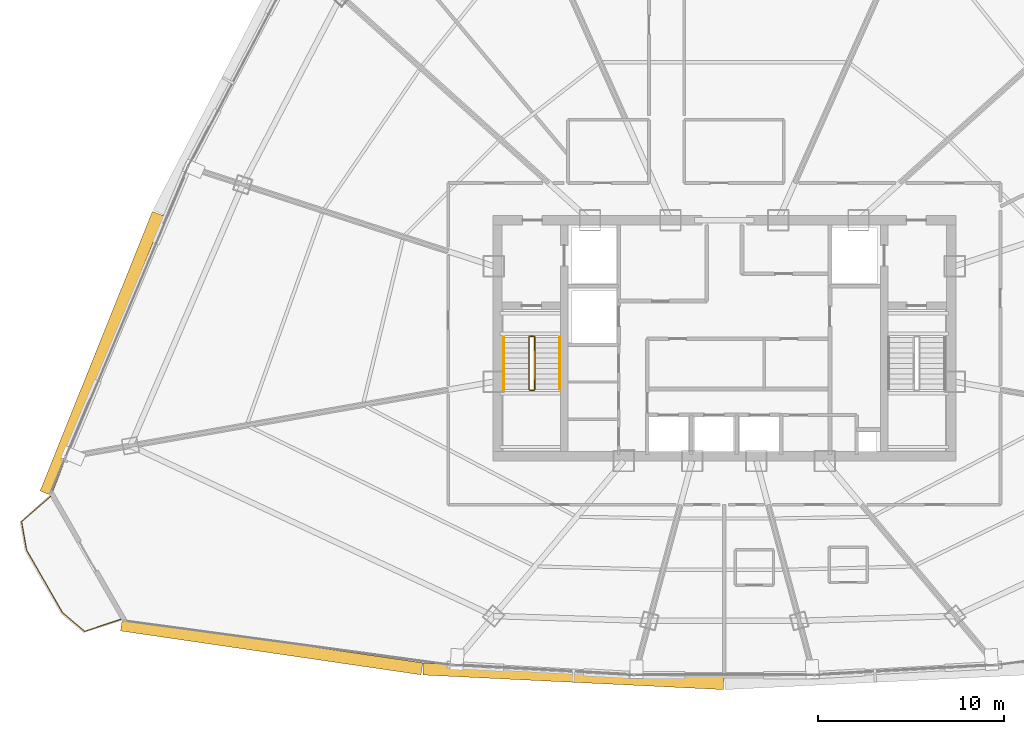
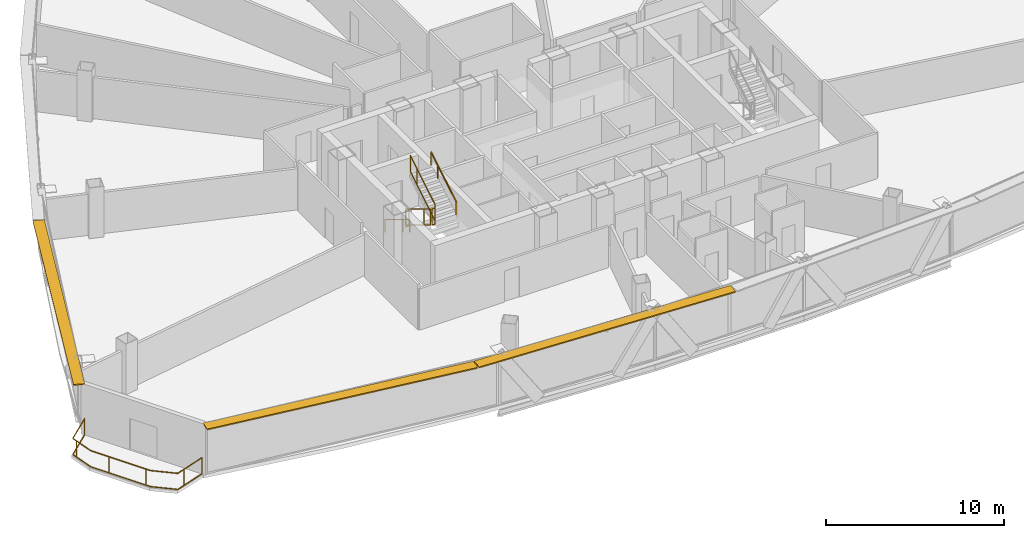
# One storey, part 32 of 35: 7 railings, 3 shading devices.
"""IFC4 building model written with IfcOpenShell, lengths in metres."""

from ifc_helpers import new_model, si_unit, direction, frame, origin, origin_2d, place, context, subcontext, project, spatial, rectangle, extrude, source, transform, mapped, material, layer, layer_set, type_object, element, save


model = new_model("IFC4")

# Units and contexts
model_context = context("Model", 3, precision=1e-05, world=origin(), true_north=direction((0.0, 1.0)))
body_context = subcontext(model_context, "Body", "Model", "MODEL_VIEW")
ifc_project = project(units=[si_unit("LENGTHUNIT", "METRE"), si_unit("AREAUNIT", "SQUARE_METRE"), si_unit("VOLUMEUNIT", "CUBIC_METRE"), si_unit("PLANEANGLEUNIT", "RADIAN"), si_unit("MASSUNIT", "GRAM", prefix="KILO"), si_unit("THERMODYNAMICTEMPERATUREUNIT", "KELVIN"), si_unit("POWERUNIT", "WATT")], contexts=[model_context])

# Site, building, storey
site_placement = place(None, origin())
site = spatial("IfcSite", under=ifc_project, at=site_placement, CompositionType="ELEMENT")
building_placement = place(site_placement, origin())
building = spatial("IfcBuilding", under=site, at=building_placement, Name="Yunzhuo Pagoda Commons", CompositionType="ELEMENT")
storey_placement = place(building_placement, frame((0.0, 0.0, 237.070068359375)))
storey = spatial("IfcBuildingStorey", under=building, at=storey_placement, Name="L59", CompositionType="ELEMENT", Elevation=237.070068359375)

# Railings
ifc_material = material(Name="Anodized aluminium 6063-T6", Category="aluminium")
railing_type_1 = type_object("IfcRailingType", Name="GR-ST1 Stair Well Guardrail 1150", PredefinedType="GUARDRAIL", material=ifc_material)
railing_1_placement = place(storey_placement, frame((37.5, 33.89990234375, 0.16943359375)))
element("IfcRailing", 1, at=railing_1_placement, inside=storey, type_object=railing_type_1, Name="L59 ST1 stair guard 1", PredefinedType="GUARDRAIL", context=body_context, shape_type="SweptSolid", body=[
    extrude(rectangle(XDim=0.048095703125, YDim=0.048095703125, at=origin_2d()), frame((0.0, 0.0, 1.1259765625), z_axis=(0.0, -0.855373106579, 0.518012401918), x_axis=(1.0, 0.0, 0.0)), (0.0, 0.0, 1.0), 3.273193359375),
    extrude(rectangle(XDim=0.048095703125, YDim=0.048095703125, at=origin_2d()), frame((0.0, 0.0, 0.02392578125), z_axis=(0.0, -0.855373106579, 0.518012401918), x_axis=(1.0, 0.0, 0.0)), (0.0, 0.0, 1.0), 3.273193359375),
    extrude(rectangle(XDim=0.0419921875, YDim=0.0419921875, at=origin_2d()), origin(), (0.0, 0.0, 1.0), 1.101806640625),
    extrude(rectangle(XDim=0.0419921875, YDim=0.0419921875, at=origin_2d()), frame((0.0, -2.052978515625, 1.2431640625)), (0.0, 0.0, 1.0), 1.101806640625),
    extrude(rectangle(XDim=0.0419921875, YDim=0.0419921875, at=origin_2d()), frame((0.0, -2.7998046875, 1.695556640625)), (0.0, 0.0, 1.0), 1.101806640625),
])
railing_2_placement = place(storey_placement, frame((37.550048828125, 31.050048828125, 1.864990234375)))
element("IfcRailing", 2, at=railing_2_placement, inside=storey, type_object=railing_type_1, Name="L59 ST1 stair guard 2", PredefinedType="GUARDRAIL", context=body_context, shape_type="SweptSolid", body=[
    extrude(rectangle(XDim=0.048095703125, YDim=0.048095703125, at=origin_2d()), frame((0.0, 0.0, 1.1259765625), z_axis=(1.0, 0.0, 0.0), x_axis=(0.0, 1.0, 0.0)), (0.0, 0.0, 1.0), 0.199951171875),
    extrude(rectangle(XDim=0.048095703125, YDim=0.048095703125, at=origin_2d()), frame((0.0, 0.0, 0.02392578125), z_axis=(1.0, 0.0, 0.0), x_axis=(0.0, 1.0, 0.0)), (0.0, 0.0, 1.0), 0.199951171875),
    extrude(rectangle(XDim=0.0419921875, YDim=0.0419921875, at=origin_2d()), origin(), (0.0, 0.0, 1.0), 1.101806640625),
    extrude(rectangle(XDim=0.0419921875, YDim=0.0419921875, at=origin_2d()), frame((0.199951171875, 0.0, 0.0)), (0.0, 0.0, 1.0), 1.101806640625),
])
railing_3_placement = place(storey_placement, frame((37.800048828125, 31.10009765625, 2.034423828125)))
element("IfcRailing", 3, at=railing_3_placement, inside=storey, type_object=railing_type_1, Name="L59 ST1 stair guard 3", PredefinedType="GUARDRAIL", context=body_context, shape_type="SweptSolid", body=[
    extrude(rectangle(XDim=0.048095703125, YDim=0.048095703125, at=origin_2d()), frame((0.0, 0.0, 1.1259765625), z_axis=(0.0, 0.855373106579, 0.518012401918), x_axis=(-1.0, 0.0, 0.0)), (0.0, 0.0, 1.0), 3.273193359375),
    extrude(rectangle(XDim=0.048095703125, YDim=0.048095703125, at=origin_2d()), frame((0.0, 0.0, 0.02392578125), z_axis=(0.0, 0.855373106579, 0.518012401918), x_axis=(-1.0, 0.0, 0.0)), (0.0, 0.0, 1.0), 3.273193359375),
    extrude(rectangle(XDim=0.0419921875, YDim=0.0419921875, at=origin_2d()), origin(), (0.0, 0.0, 1.0), 1.101806640625),
    extrude(rectangle(XDim=0.0419921875, YDim=0.0419921875, at=origin_2d()), frame((0.0, 2.052978515625, 1.2431640625)), (0.0, 0.0, 1.0), 1.101806640625),
    extrude(rectangle(XDim=0.0419921875, YDim=0.0419921875, at=origin_2d()), frame((0.0, 2.7998046875, 1.695556640625)), (0.0, 0.0, 1.0), 1.101806640625),
])
railing_4_placement = place(storey_placement, frame((37.550048828125, 33.949951171875, 0.0)))
element("IfcRailing", 4, at=railing_4_placement, inside=storey, type_object=railing_type_1, Name="L59 ST1 stair guard 4", PredefinedType="GUARDRAIL", context=body_context, shape_type="SweptSolid", body=[
    extrude(rectangle(XDim=0.048095703125, YDim=0.048095703125, at=origin_2d()), frame((0.0, 0.0, 1.1259765625), z_axis=(1.0, 0.0, 0.0), x_axis=(0.0, 1.0, 0.0)), (0.0, 0.0, 1.0), 0.199951171875),
    extrude(rectangle(XDim=0.048095703125, YDim=0.048095703125, at=origin_2d()), frame((0.0, 0.0, 0.02392578125), z_axis=(1.0, 0.0, 0.0), x_axis=(0.0, 1.0, 0.0)), (0.0, 0.0, 1.0), 0.199951171875),
    extrude(rectangle(XDim=0.0419921875, YDim=0.0419921875, at=origin_2d()), origin(), (0.0, 0.0, 1.0), 1.101806640625),
    extrude(rectangle(XDim=0.0419921875, YDim=0.0419921875, at=origin_2d()), frame((0.199951171875, 0.0, 0.0)), (0.0, 0.0, 1.0), 1.101806640625),
])
railing_type_2 = type_object("IfcRailingType", Name="HR-ST1 Stair Handrail 900", PredefinedType="HANDRAIL", material=ifc_material)
railing_5_placement = place(storey_placement, frame((36.14990234375, 33.89990234375, 0.16943359375)))
element("IfcRailing", 5, at=railing_5_placement, inside=storey, type_object=railing_type_2, Name="L59 ST1 stair handrail 1", PredefinedType="HANDRAIL", context=body_context, shape_type="SweptSolid", body=[
    extrude(rectangle(XDim=0.048095703125, YDim=0.048095703125, at=origin_2d()), frame((0.0, 0.0, 0.8759765625), z_axis=(0.0, -0.855373106579, 0.518012401918), x_axis=(1.0, 0.0, 0.0)), (0.0, 0.0, 1.0), 3.273193359375),
    extrude(rectangle(XDim=0.0419921875, YDim=0.0419921875, at=origin_2d()), origin(), (0.0, 0.0, 1.0), 0.851806640625),
    extrude(rectangle(XDim=0.0419921875, YDim=0.0419921875, at=origin_2d()), frame((0.0, -2.052978515625, 1.2431640625)), (0.0, 0.0, 1.0), 0.851806640625),
    extrude(rectangle(XDim=0.0419921875, YDim=0.0419921875, at=origin_2d()), frame((0.0, -2.7998046875, 1.695556640625)), (0.0, 0.0, 1.0), 0.851806640625),
])
railing_6_placement = place(storey_placement, frame((39.14990234375, 31.10009765625, 2.034423828125)))
element("IfcRailing", 6, at=railing_6_placement, inside=storey, type_object=railing_type_2, Name="L59 ST1 stair handrail 2", PredefinedType="HANDRAIL", context=body_context, shape_type="SweptSolid", body=[
    extrude(rectangle(XDim=0.048095703125, YDim=0.048095703125, at=origin_2d()), frame((0.0, 0.0, 0.8759765625), z_axis=(0.0, 0.855373106579, 0.518012401918), x_axis=(-1.0, 0.0, 0.0)), (0.0, 0.0, 1.0), 3.273193359375),
    extrude(rectangle(XDim=0.0419921875, YDim=0.0419921875, at=origin_2d()), origin(), (0.0, 0.0, 1.0), 0.851806640625),
    extrude(rectangle(XDim=0.0419921875, YDim=0.0419921875, at=origin_2d()), frame((0.0, 2.052978515625, 1.2431640625)), (0.0, 0.0, 1.0), 0.851806640625),
    extrude(rectangle(XDim=0.0419921875, YDim=0.0419921875, at=origin_2d()), frame((0.0, 2.7998046875, 1.695556640625)), (0.0, 0.0, 1.0), 0.851806640625),
])
railing_type_3 = type_object("IfcRailingType", Name="RL-BAL1 Exterior Terrace & Balcony Balustrade 1150", PredefinedType="BALUSTRADE", material=ifc_material)
railing_7_placement = place(storey_placement, frame((11.76171875, 25.34521484375, 0.0)))
element("IfcRailing", 7, at=railing_7_placement, inside=storey, type_object=railing_type_3, Name="L59 corner balcony balustrade V1", PredefinedType="BALUSTRADE", context=body_context, shape_type="SweptSolid", body=[
    extrude(rectangle(XDim=0.048095703125, YDim=0.048095703125, at=origin_2d()), frame((0.0, 0.0, 1.1259765625), z_axis=(-0.753984993137, -0.656891642605, 0.0), x_axis=(0.656891642605, -0.753984993137, 0.0)), (0.0, 0.0, 1.0), 2.059326171875),
    extrude(rectangle(XDim=0.048095703125, YDim=0.048095703125, at=origin_2d()), frame((0.0, 0.0, 0.02392578125), z_axis=(-0.753984993137, -0.656891642605, 0.0), x_axis=(0.656891642605, -0.753984993137, 0.0)), (0.0, 0.0, 1.0), 2.059326171875),
    extrude(rectangle(XDim=0.048095703125, YDim=0.048095703125, at=origin_2d()), frame((-1.552734375, -1.352783203125, 1.1259765625), z_axis=(0.172863553259, -0.984945781226, 0.0), x_axis=(0.984945781226, 0.172863553259, 0.0)), (0.0, 0.0, 1.0), 1.556396484375),
    extrude(rectangle(XDim=0.048095703125, YDim=0.048095703125, at=origin_2d()), frame((-1.552734375, -1.352783203125, 0.02392578125), z_axis=(0.172863553259, -0.984945781226, 0.0), x_axis=(0.984945781226, 0.172863553259, 0.0)), (0.0, 0.0, 1.0), 1.556396484375),
    extrude(rectangle(XDim=0.048095703125, YDim=0.048095703125, at=origin_2d()), frame((-1.28369140625, -2.8857421875, 1.1259765625), z_axis=(0.497903387026, -0.867232504688, 0.0), x_axis=(0.867232504688, 0.497903387026, 0.0)), (0.0, 0.0, 1.0), 3.886962890625),
    extrude(rectangle(XDim=0.048095703125, YDim=0.048095703125, at=origin_2d()), frame((-1.28369140625, -2.8857421875, 0.02392578125), z_axis=(0.497903387026, -0.867232504688, 0.0), x_axis=(0.867232504688, 0.497903387026, 0.0)), (0.0, 0.0, 1.0), 3.886962890625),
    extrude(rectangle(XDim=0.048095703125, YDim=0.048095703125, at=origin_2d()), frame((0.651611328125, -6.256591796875, 1.1259765625), z_axis=(0.763546898029, -0.645752378633, 0.0), x_axis=(0.645752378633, 0.763546898029, 0.0)), (0.0, 0.0, 1.0), 1.556640625),
    extrude(rectangle(XDim=0.048095703125, YDim=0.048095703125, at=origin_2d()), frame((0.651611328125, -6.256591796875, 0.02392578125), z_axis=(0.763546898029, -0.645752378633, 0.0), x_axis=(0.645752378633, 0.763546898029, 0.0)), (0.0, 0.0, 1.0), 1.556640625),
    extrude(rectangle(XDim=0.048095703125, YDim=0.048095703125, at=origin_2d()), frame((1.840087890625, -7.26171875, 1.1259765625), z_axis=(0.947419062147, 0.319995501031, 0.0), x_axis=(-0.319995501031, 0.947419062147, 0.0)), (0.0, 0.0, 1.0), 2.05908203125),
    extrude(rectangle(XDim=0.048095703125, YDim=0.048095703125, at=origin_2d()), frame((1.840087890625, -7.26171875, 0.02392578125), z_axis=(0.947419062147, 0.319995501031, 0.0), x_axis=(-0.319995501031, 0.947419062147, 0.0)), (0.0, 0.0, 1.0), 2.05908203125),
    extrude(rectangle(XDim=0.0419921875, YDim=0.0419921875, at=origin_2d()), origin(), (0.0, 0.0, 1.0), 1.101806640625),
    extrude(rectangle(XDim=0.0419921875, YDim=0.0419921875, at=origin_2d()), frame((-1.493896484375, -1.688232421875, 0.0)), (0.0, 0.0, 1.0), 1.101806640625),
    extrude(rectangle(XDim=0.0419921875, YDim=0.0419921875, at=origin_2d()), frame((-0.694091796875, -3.912841796875, 0.0)), (0.0, 0.0, 1.0), 1.101806640625),
    extrude(rectangle(XDim=0.0419921875, YDim=0.0419921875, at=origin_2d()), frame((0.5009765625, -5.994140625, 0.0)), (0.0, 0.0, 1.0), 1.101806640625),
    extrude(rectangle(XDim=0.0419921875, YDim=0.0419921875, at=origin_2d()), frame((2.3525390625, -7.088623046875, 0.0)), (0.0, 0.0, 1.0), 1.101806640625),
    extrude(rectangle(XDim=0.0419921875, YDim=0.0419921875, at=origin_2d()), frame((3.791015625, -6.602783203125, 0.0)), (0.0, 0.0, 1.0), 1.101806640625),
])

# Shading devices
ifc_layer = layer(ifc_material, 0.080078125)
ifc_layer_set = layer_set([ifc_layer], Name="Anodized aluminium 6063-T6")
shading_device_type = type_object("IfcShadingDeviceType", Name="SH-SUN1 Pagoda Horizontal Sunshade Eave 650", PredefinedType="USERDEFINED", material=ifc_layer_set)
shared_shape_1 = source(origin(), body_context, "Body", "SweptSolid", [
    extrude(rectangle(XDim=16.335693359375, YDim=0.64990234375, at=origin_2d()), origin(), (0.0, 0.0, 1.0), 0.080078125),
])
shading_device_1_placement = place(storey_placement, frame((23.65966796875, 17.252685546875, 3.389892578125), z_axis=(0.0, 0.0, 1.0), x_axis=(0.989510666697, -0.144459823108, 0.0)))
element("IfcShadingDevice", 8, at=shading_device_1_placement, inside=storey, type_object=shading_device_type, Name="L59 horizontal pagoda sunshade eave F1.1", ObjectType="SUNSHADE", PredefinedType="USERDEFINED", context=body_context, shape_type="MappedRepresentation", body=[
    mapped(shared_shape_1, transform((0.0, 0.0, 0.0), scale=1.0)),
])
shared_shape_2 = source(origin(), body_context, "Body", "SweptSolid", [
    extrude(rectangle(XDim=16.182861328125, YDim=0.64990234375, at=origin_2d()), origin(), (0.0, 0.0, 1.0), 0.080078125),
])
shading_device_2_placement = place(storey_placement, frame((39.886474609375, 15.673583984375, 3.389892578125), z_axis=(0.0, 0.0, 1.0), x_axis=(0.998818043775, -0.04860571396, 0.0)))
element("IfcShadingDevice", 9, at=shading_device_2_placement, inside=storey, type_object=shading_device_type, Name="L59 horizontal pagoda sunshade eave F1.2", ObjectType="SUNSHADE", PredefinedType="USERDEFINED", context=body_context, shape_type="MappedRepresentation", body=[
    mapped(shared_shape_2, transform((0.0, 0.0, 0.0), scale=1.0)),
])
shared_shape_3 = source(origin(), body_context, "Body", "SweptSolid", [
    extrude(rectangle(XDim=16.2041015625, YDim=0.64990234375, at=origin_2d()), origin(), (0.0, 0.0, 1.0), 0.080078125),
])
shading_device_3_placement = place(storey_placement, frame((14.528564453125, 33.0400390625, 3.389892578125), z_axis=(0.0, 0.0, 1.0), x_axis=(-0.372987782576, -0.927836253899, 0.0)))
element("IfcShadingDevice", 10, at=shading_device_3_placement, inside=storey, type_object=shading_device_type, Name="L59 horizontal pagoda sunshade eave F3.4", ObjectType="SUNSHADE", PredefinedType="USERDEFINED", context=body_context, shape_type="MappedRepresentation", body=[
    mapped(shared_shape_3, transform((0.0, 0.0, 0.0), scale=1.0)),
])

save(model, "model.ifc")
